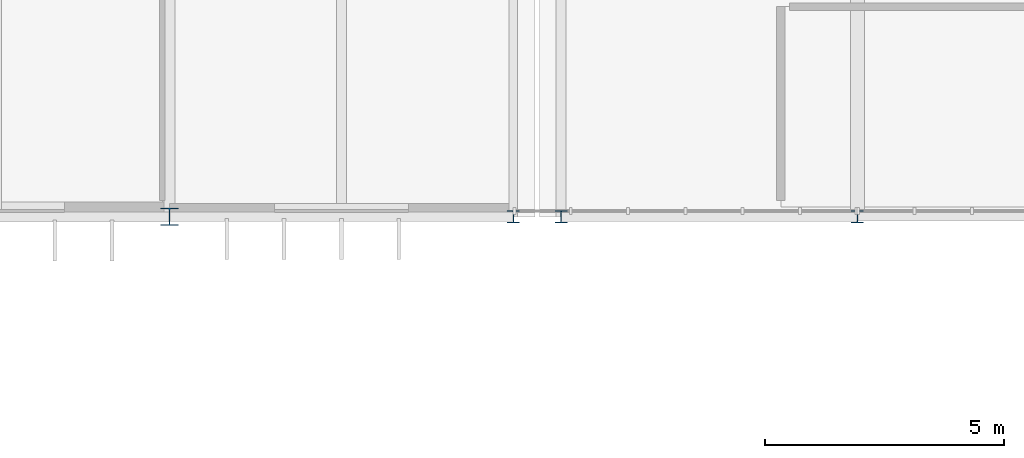
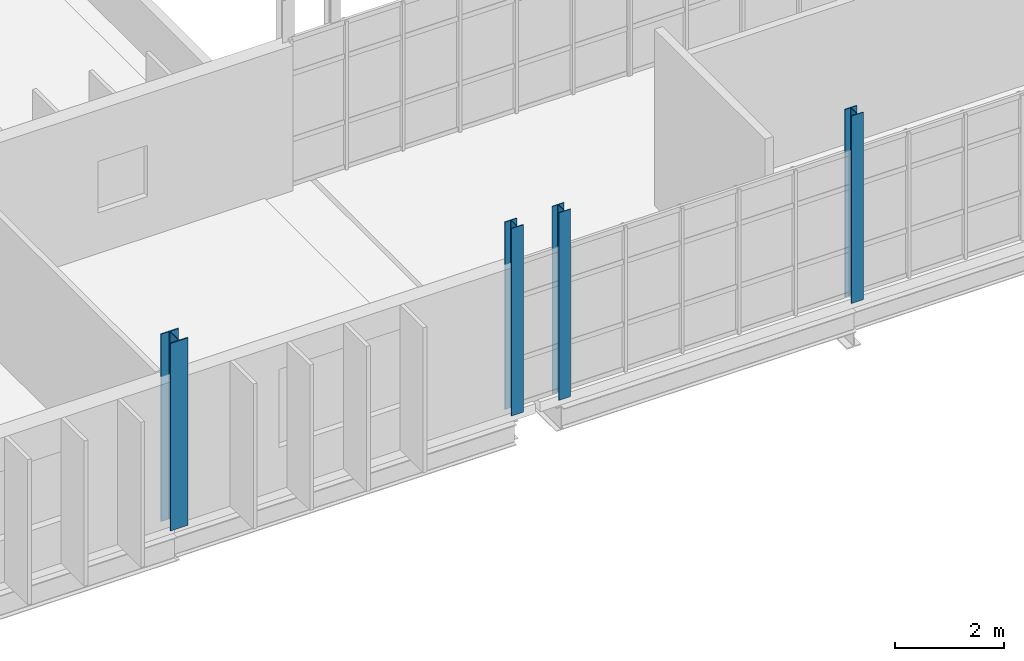
# One storey, part 2 of 99: 4 columns.
"""IFC4 building model written with IfcOpenShell, lengths in metres."""

from ifc_helpers import new_model, si_unit, direction, frame, origin, origin_2d, place, context, subcontext, project, spatial, i_section, extrude, material, material_profile, profile_set, type_object, element, save


model = new_model("IFC4")

# Units and contexts
model_context = context("Model", 3, precision=1e-05, world=origin(), true_north=direction((0.0, 1.0)))
body_context = subcontext(model_context, "Body", "Model", "MODEL_VIEW")
ifc_project = project(units=[si_unit("LENGTHUNIT", "METRE"), si_unit("AREAUNIT", "SQUARE_METRE"), si_unit("VOLUMEUNIT", "CUBIC_METRE"), si_unit("PLANEANGLEUNIT", "RADIAN"), si_unit("MASSUNIT", "GRAM", prefix="KILO")], contexts=[model_context])

# Site, building, storey
site_placement = place(None, origin())
site = spatial("IfcSite", under=ifc_project, at=site_placement, CompositionType="ELEMENT")
building_placement = place(site_placement, origin())
building = spatial("IfcBuilding", under=site, at=building_placement, Name="Qelthora Terrace Specialist Clinic", CompositionType="ELEMENT")
storey_placement = place(building_placement, frame((0.0, 0.0, 9.0)))
storey = spatial("IfcBuildingStorey", under=building, at=storey_placement, Name="L02", CompositionType="ELEMENT", Elevation=9.0)

# Columns
ifc_material = material(Name="Steel S355", Category="steel")
ifc_material_profile_1 = material_profile(ifc_material, i_section(OverallWidth=0.25390625, OverallDepth=0.2529296875, WebThickness=0.008544921875, FlangeThickness=0.01416015625, FilletRadius=0.012939453125, at=origin_2d()), Name="W250X73")
ifc_profile_set_1 = profile_set([ifc_material_profile_1], Name="Steel S355")
column_type_1 = type_object("IfcColumnType", Name="COL-W250X73", PredefinedType="COLUMN", material=ifc_profile_set_1)
column_1_placement = place(storey_placement, frame((51.39990234375, 58.800048828125, 0.0), z_axis=(0.0, 0.0, 1.0), x_axis=(1.0, 0.0, 0.0)))
element("IfcColumn", 1, at=column_1_placement, inside=storey, type_object=column_type_1, Name="Column L02-102", PredefinedType="COLUMN", context=body_context, shape_type="SweptSolid", body=[
    extrude(i_section(OverallWidth=0.25390625, OverallDepth=0.2529296875, WebThickness=0.008544921875, FlangeThickness=0.01416015625, FilletRadius=0.012939453125, at=origin_2d()), origin(), (0.0, 0.0, 1.0), 4.199951171875),
])
ifc_material_profile_2 = material_profile(ifc_material, i_section(OverallWidth=0.2548828125, OverallDepth=0.256103515625, WebThickness=0.009521484375, FlangeThickness=0.015625, FilletRadius=0.012939453125, at=origin_2d()), Name="W250X80")
ifc_profile_set_2 = profile_set([ifc_material_profile_2], Name="Steel S355")
column_type_2 = type_object("IfcColumnType", Name="COL-W250X80", PredefinedType="COLUMN", material=ifc_profile_set_2)
for number, where, z_axis, x_axis, name in (
    (2, (50.39990234375, 58.800048828125, 0.0), (0.0, 0.0, 1.0), (1.0, 0.0, 0.0), "Column L02-093"),
    (3, (57.60009765625, 58.800048828125, 0.0), (0.0, 0.0, 1.0), (1.0, 0.0, 0.0), "Column L02-109"),
):
    element("IfcColumn", number, at=place(storey_placement, frame(where, z_axis=z_axis, x_axis=x_axis)), inside=storey, type_object=column_type_2, Name=name, PredefinedType="COLUMN", context=body_context, shape_type="SweptSolid", body=[
        extrude(i_section(OverallWidth=0.2548828125, OverallDepth=0.256103515625, WebThickness=0.009521484375, FlangeThickness=0.015625, FilletRadius=0.012939453125, at=origin_2d()), origin(), (0.0, 0.0, 1.0), 4.199951171875),
    ])
ifc_material_profile_3 = material_profile(ifc_material, i_section(OverallWidth=0.37109375, OverallDepth=0.364013671875, WebThickness=0.01318359375, FlangeThickness=0.021728515625, FilletRadius=0.02001953125, at=origin_2d()), Name="W360X162")
ifc_profile_set_3 = profile_set([ifc_material_profile_3], Name="Steel S355")
column_type_3 = type_object("IfcColumnType", Name="COL-W360X162", PredefinedType="COLUMN", material=ifc_profile_set_3)
column_2_placement = place(storey_placement, frame((43.199951171875, 58.800048828125, 0.0), z_axis=(0.0, 0.0, 1.0), x_axis=(1.0, 0.0, 0.0)))
element("IfcColumn", 4, at=column_2_placement, inside=storey, type_object=column_type_3, Name="Column L02-086", PredefinedType="COLUMN", context=body_context, shape_type="SweptSolid", body=[
    extrude(i_section(OverallWidth=0.37109375, OverallDepth=0.364013671875, WebThickness=0.01318359375, FlangeThickness=0.021728515625, FilletRadius=0.02001953125, at=origin_2d()), origin(), (0.0, 0.0, 1.0), 4.199951171875),
])

save(model, "model.ifc")
